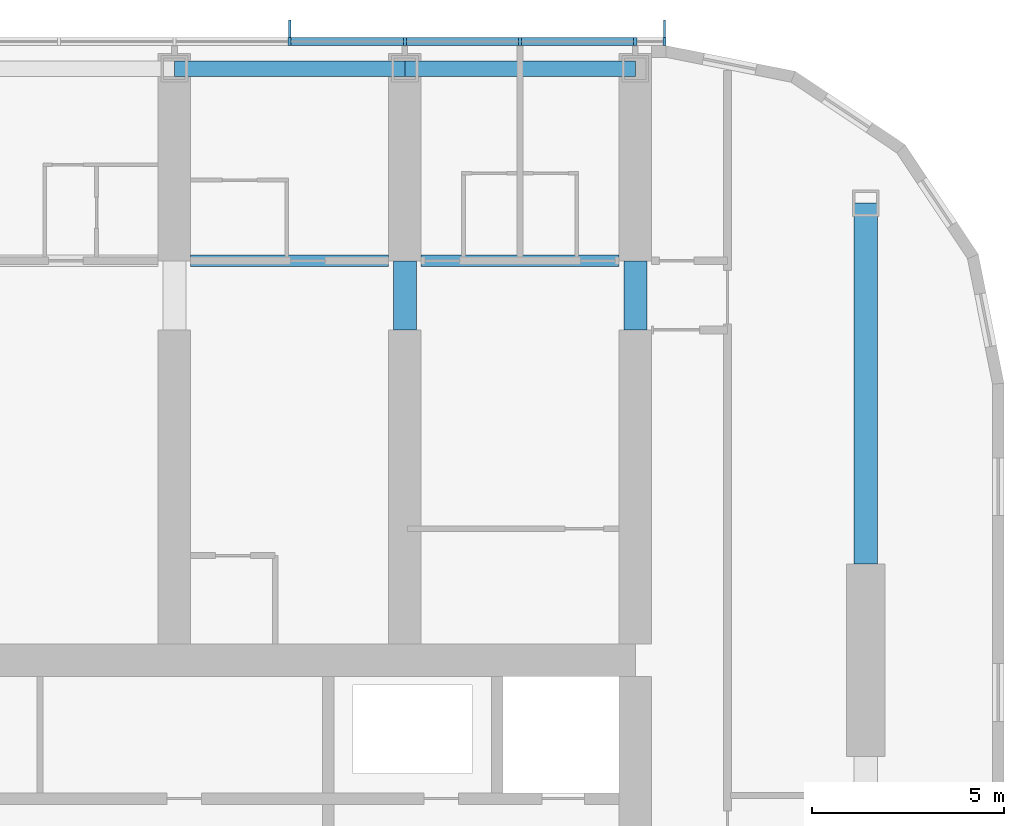
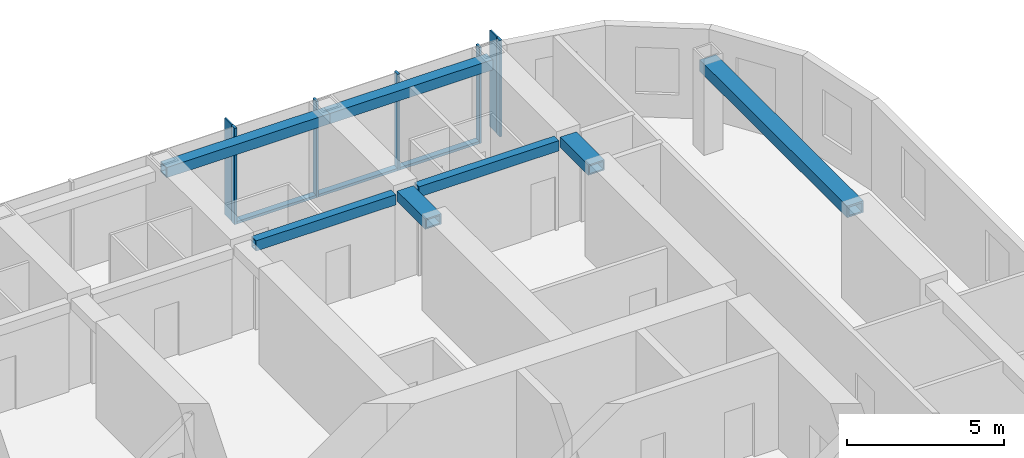
# One storey, part 5 of 22: 10 members, 7 beams, 1 element without a shape of its own.
"""IFC4 building model written with IfcOpenShell, lengths in metres."""

from ifc_helpers import new_model, si_unit, direction, frame, origin, origin_2d, place, context, subcontext, project, spatial, rectangle, hollow_rectangle, extrude, material, material_profile, profile_set, type_object, element, aggregate, save


model = new_model("IFC4")

# Units and contexts
model_context = context("Model", 3, precision=1e-05, world=origin(), true_north=direction((0.0, 1.0)))
body_context = subcontext(model_context, "Body", "Model", "MODEL_VIEW")
ifc_project = project(units=[si_unit("LENGTHUNIT", "METRE"), si_unit("AREAUNIT", "SQUARE_METRE"), si_unit("VOLUMEUNIT", "CUBIC_METRE"), si_unit("PLANEANGLEUNIT", "RADIAN"), si_unit("MASSUNIT", "GRAM", prefix="KILO")], contexts=[model_context])

# Site, building, storey
site_placement = place(None, origin())
site = spatial("IfcSite", under=ifc_project, at=site_placement, CompositionType="ELEMENT")
building_placement = place(site_placement, origin())
building = spatial("IfcBuilding", under=site, at=building_placement, Name="Orbita Commons", CompositionType="ELEMENT")
storey_placement = place(building_placement, frame((0.0, 0.0, 156.10009765625)))
storey = spatial("IfcBuildingStorey", under=building, at=storey_placement, Name="L38", CompositionType="ELEMENT", Elevation=156.10009765625)

# Curtain wall, members
ifc_material_1 = material(Name="Anodised aluminium frame, pale silver", Category="aluminium")
curtain_wall_type = type_object("IfcCurtainWallType", Name="Unitised curtain wall CW-U, full-height vision", PredefinedType="NOTDEFINED", material=ifc_material_1)
curtain_wall_placement = place(storey_placement, origin())
curtain_wall = element("IfcCurtainWall", 1, at=curtain_wall_placement, inside=storey, type_object=curtain_wall_type, Name="Curtain wall north L38", PredefinedType="NOTDEFINED")
ifc_material_2 = material(Name="Anodised aluminium, pale silver", Category="aluminium")
ifc_material_profile_1 = material_profile(ifc_material_2, rectangle(XDim=0.080078125, YDim=0.219970703125, at=origin_2d()), Name="AL 80x220")
ifc_profile_set_1 = profile_set([ifc_material_profile_1], Name="Anodised aluminium, pale silver")
member_type_1 = type_object("IfcMemberType", Name="Curtain wall mullion 80x220", PredefinedType="MULLION", material=ifc_profile_set_1)
member_1_placement = place(storey_placement, frame((66.760009765625, 54.31005859375, -0.25), z_axis=(0.0, 0.0, 1.0), x_axis=(-1.0, 0.0, 0.0)))
member_1 = element("IfcMember", 2, at=member_1_placement, type_object=member_type_1, Name="Mullion 1 CW-L38-N", PredefinedType="MULLION", context=body_context, shape_type="SweptSolid", body=[
    extrude(rectangle(XDim=0.080078125, YDim=0.219970703125, at=origin_2d()), origin(), (0.0, 0.0, 1.0), 3.75),
])
member_2_placement = place(storey_placement, frame((66.0, 54.31005859375, -0.25), z_axis=(0.0, 0.0, 1.0), x_axis=(-1.0, 0.0, 0.0)))
member_2 = element("IfcMember", 3, at=member_2_placement, type_object=member_type_1, Name="Mullion 2 CW-L38-N", PredefinedType="MULLION", context=body_context, shape_type="SweptSolid", body=[
    extrude(rectangle(XDim=0.080078125, YDim=0.219970703125, at=origin_2d()), origin(), (0.0, 0.0, 1.0), 3.75),
])
member_3_placement = place(storey_placement, frame((63.0, 54.31005859375, -0.25), z_axis=(0.0, 0.0, 1.0), x_axis=(-1.0, 0.0, 0.0)))
member_3 = element("IfcMember", 4, at=member_3_placement, type_object=member_type_1, Name="Mullion 3 CW-L38-N", PredefinedType="MULLION", context=body_context, shape_type="SweptSolid", body=[
    extrude(rectangle(XDim=0.080078125, YDim=0.219970703125, at=origin_2d()), origin(), (0.0, 0.0, 1.0), 3.75),
])
member_4_placement = place(storey_placement, frame((60.0, 54.31005859375, -0.25), z_axis=(0.0, 0.0, 1.0), x_axis=(-1.0, 0.0, 0.0)))
member_4 = element("IfcMember", 5, at=member_4_placement, type_object=member_type_1, Name="Mullion 4 CW-L38-N", PredefinedType="MULLION", context=body_context, shape_type="SweptSolid", body=[
    extrude(rectangle(XDim=0.080078125, YDim=0.219970703125, at=origin_2d()), origin(), (0.0, 0.0, 1.0), 3.75),
])
member_5_placement = place(storey_placement, frame((57.0, 54.31005859375, -0.25), z_axis=(0.0, 0.0, 1.0), x_axis=(-1.0, 0.0, 0.0)))
member_5 = element("IfcMember", 6, at=member_5_placement, type_object=member_type_1, Name="Mullion 5 CW-L38-N", PredefinedType="MULLION", context=body_context, shape_type="SweptSolid", body=[
    extrude(rectangle(XDim=0.080078125, YDim=0.219970703125, at=origin_2d()), origin(), (0.0, 0.0, 1.0), 3.75),
])
ifc_material_3 = material(Name="Anodised aluminium, pale silver", Category="aluminium")
ifc_material_profile_2 = material_profile(ifc_material_3, rectangle(XDim=0.219970703125, YDim=0.10009765625, at=origin_2d()), Name="AL 220x100")
ifc_profile_set_2 = profile_set([ifc_material_profile_2], Name="Anodised aluminium, pale silver")
member_type_2 = type_object("IfcMemberType", Name="Curtain wall stack transom 220x100", PredefinedType="USERDEFINED", material=ifc_profile_set_2)
member_6_placement = place(storey_placement, frame((65.9599609375, 54.31005859375, -0.2001953125), z_axis=(-1.0, 0.0, 0.0), x_axis=(0.0, -1.0, 0.0)))
member_6 = element("IfcMember", 7, at=member_6_placement, type_object=member_type_2, Name="Transom 2.1 CW-L38-N", ObjectType="TRANSOM", PredefinedType="USERDEFINED", context=body_context, shape_type="SweptSolid", body=[
    extrude(rectangle(XDim=0.219970703125, YDim=0.10009765625, at=origin_2d()), origin(), (0.0, 0.0, 1.0), 2.919921875),
])
member_7_placement = place(storey_placement, frame((62.9599609375, 54.31005859375, -0.2001953125), z_axis=(-1.0, 0.0, 0.0), x_axis=(0.0, -1.0, 0.0)))
member_7 = element("IfcMember", 8, at=member_7_placement, type_object=member_type_2, Name="Transom 3.1 CW-L38-N", ObjectType="TRANSOM", PredefinedType="USERDEFINED", context=body_context, shape_type="SweptSolid", body=[
    extrude(rectangle(XDim=0.219970703125, YDim=0.10009765625, at=origin_2d()), origin(), (0.0, 0.0, 1.0), 2.919921875),
])
member_8_placement = place(storey_placement, frame((59.9599609375, 54.31005859375, -0.2001953125), z_axis=(-1.0, 0.0, 0.0), x_axis=(0.0, -1.0, 0.0)))
member_8 = element("IfcMember", 9, at=member_8_placement, type_object=member_type_2, Name="Transom 4.1 CW-L38-N", ObjectType="TRANSOM", PredefinedType="USERDEFINED", context=body_context, shape_type="SweptSolid", body=[
    extrude(rectangle(XDim=0.219970703125, YDim=0.10009765625, at=origin_2d()), origin(), (0.0, 0.0, 1.0), 2.919921875),
])

# Beams
ifc_material_4 = material(Name="Steel ASTM A572 Gr 50 welded plate", Category="steel")
ifc_material_profile_3 = material_profile(ifc_material_4, hollow_rectangle(XDim=0.300048828125, YDim=0.39990234375, WallThickness=0.0400390625, at=origin_2d()), Name="BOX 400x300x40")
ifc_profile_set_3 = profile_set([ifc_material_profile_3], Name="Steel ASTM A572 Gr 50 welded plate")
beam_type_1 = type_object("IfcBeamType", Name="Steel corridor link BOX 400x300x40", PredefinedType="BEAM", material=ifc_profile_set_3)
for number, where, z_axis, x_axis, name in (
    (10, (54.425048828125, 48.60009765625, 3.2998046875), (1.0, 0.0, 0.0), (0.0, 1.0, 0.0), "Corridor beam NB 10-11 L38"),
    (11, (60.425048828125, 48.60009765625, 3.2998046875), (1.0, 0.0, 0.0), (0.0, 1.0, 0.0), "Corridor beam NB 11-12 L38"),
):
    element("IfcBeam", number, at=place(storey_placement, frame(where, z_axis=z_axis, x_axis=x_axis)), inside=storey, type_object=beam_type_1, Name=name, PredefinedType="BEAM", context=body_context, shape_type="SweptSolid", body=[
        extrude(hollow_rectangle(XDim=0.300048828125, YDim=0.39990234375, WallThickness=0.0400390625, at=origin_2d()), origin(), (0.0, 0.0, 1.0), 5.14990234375),
    ])
ifc_material_5 = material(Name="Steel ASTM A572 Gr 50 welded plate", Category="steel")
ifc_material_profile_4 = material_profile(ifc_material_5, hollow_rectangle(XDim=0.60009765625, YDim=0.39990234375, WallThickness=0.050048828125, at=origin_2d()), Name="BOX 400x600x50")
ifc_profile_set_4 = profile_set([ifc_material_profile_4], Name="Steel ASTM A572 Gr 50 welded plate")
beam_type_2 = type_object("IfcBeamType", Name="Steel coupling link BOX 400x600x50", PredefinedType="LINTEL", material=ifc_profile_set_4)
for number, where, z_axis, x_axis, name in (
    (12, (60.0, 46.800048828125, 3.2998046875), (0.0, 1.0, 0.0), (-1.0, 0.0, 0.0), "Coupling beam 11 north L38"),
    (13, (66.0, 46.800048828125, 3.2998046875), (0.0, 1.0, 0.0), (-1.0, 0.0, 0.0), "Coupling beam 12 north L38"),
):
    element("IfcBeam", number, at=place(storey_placement, frame(where, z_axis=z_axis, x_axis=x_axis)), inside=storey, type_object=beam_type_2, Name=name, PredefinedType="LINTEL", context=body_context, shape_type="SweptSolid", body=[
        extrude(hollow_rectangle(XDim=0.60009765625, YDim=0.39990234375, WallThickness=0.050048828125, at=origin_2d()), origin(), (0.0, 0.0, 1.0), 1.800048828125),
    ])
ifc_material_6 = material(Name="Steel ASTM A572 Gr 50 welded plate", Category="steel")
ifc_material_profile_5 = material_profile(ifc_material_6, hollow_rectangle(XDim=0.60009765625, YDim=0.449951171875, WallThickness=0.06005859375, at=origin_2d()), Name="BOX 450x600x60")
ifc_profile_set_5 = profile_set([ifc_material_profile_5], Name="Steel ASTM A572 Gr 50 welded plate")
beam_type_3 = type_object("IfcBeamType", Name="Steel end frame link BOX 450x600x60", PredefinedType="BEAM", material=ifc_profile_set_5)
beam_placement = place(storey_placement, frame((72.0, 40.699951171875, 3.27490234375), z_axis=(0.0, 1.0, 0.0), x_axis=(-1.0, 0.0, 0.0)))
element("IfcBeam", 14, at=beam_placement, inside=storey, type_object=beam_type_3, Name="End frame beam 13 D-E L38", PredefinedType="BEAM", context=body_context, shape_type="SweptSolid", body=[
    extrude(hollow_rectangle(XDim=0.60009765625, YDim=0.449951171875, WallThickness=0.06005859375, at=origin_2d()), origin(), (0.0, 0.0, 1.0), 9.400146484375),
])
ifc_material_7 = material(Name="Steel ASTM A572 Gr 50 welded plate", Category="steel")
ifc_material_profile_6 = material_profile(ifc_material_7, hollow_rectangle(XDim=0.39990234375, YDim=0.39990234375, WallThickness=0.0400390625, at=origin_2d()), Name="BOX 400x400x40")
ifc_profile_set_6 = profile_set([ifc_material_profile_6], Name="Steel ASTM A572 Gr 50 welded plate")
beam_type_4 = type_object("IfcBeamType", Name="Steel spandrel BOX 400x400x40", PredefinedType="SPANDREL", material=ifc_profile_set_6)
for number, where, z_axis, x_axis, name in (
    (15, (54.0, 53.60009765625, 3.2998046875), (1.0, 0.0, 0.0), (0.0, 1.0, 0.0), "Spandrel beam E 10-11 L38"),
    (16, (60.0, 53.60009765625, 3.2998046875), (1.0, 0.0, 0.0), (0.0, 1.0, 0.0), "Spandrel beam E 11-12 L38"),
):
    element("IfcBeam", number, at=place(storey_placement, frame(where, z_axis=z_axis, x_axis=x_axis)), inside=storey, type_object=beam_type_4, Name=name, PredefinedType="SPANDREL", context=body_context, shape_type="SweptSolid", body=[
        extrude(hollow_rectangle(XDim=0.39990234375, YDim=0.39990234375, WallThickness=0.0400390625, at=origin_2d()), origin(), (0.0, 0.0, 1.0), 6.0),
    ])

# Member
ifc_material_8 = material(Name="Anodised aluminium, pale silver", Category="aluminium")
ifc_material_profile_7 = material_profile(ifc_material_8, rectangle(XDim=0.06005859375, YDim=0.449951171875, at=origin_2d()), Name="FIN 60x450")
ifc_profile_set_7 = profile_set([ifc_material_profile_7], Name="Anodised aluminium, pale silver")
member_type_3 = type_object("IfcMemberType", Name="Vertical fin 60x450 pale aluminium", PredefinedType="USERDEFINED", material=ifc_profile_set_7)
member_9_placement = place(storey_placement, frame((66.760009765625, 54.64501953125, -0.25), z_axis=(0.0, 0.0, 1.0), x_axis=(-1.0, 0.0, 0.0)))
member_9 = element("IfcMember", 17, at=member_9_placement, type_object=member_type_3, Name="Fin 1 CW-L38-N", ObjectType="FIN", PredefinedType="USERDEFINED", context=body_context, shape_type="SweptSolid", body=[
    extrude(rectangle(XDim=0.06005859375, YDim=0.449951171875, at=origin_2d()), origin(), (0.0, 0.0, 1.0), 3.75),
])

member_10_placement = place(storey_placement, frame((57.0, 54.64501953125, -0.25), z_axis=(0.0, 0.0, 1.0), x_axis=(-1.0, 0.0, 0.0)))
member_10 = element("IfcMember", 18, at=member_10_placement, type_object=member_type_3, Name="Fin 5 CW-L38-N", ObjectType="FIN", PredefinedType="USERDEFINED", context=body_context, shape_type="SweptSolid", body=[
    extrude(rectangle(XDim=0.06005859375, YDim=0.449951171875, at=origin_2d()), origin(), (0.0, 0.0, 1.0), 3.75),
])

aggregate(curtain_wall, [member_1, member_9, member_2, member_3, member_4, member_5, member_10, member_6, member_7, member_8])

save(model, "model.ifc")
